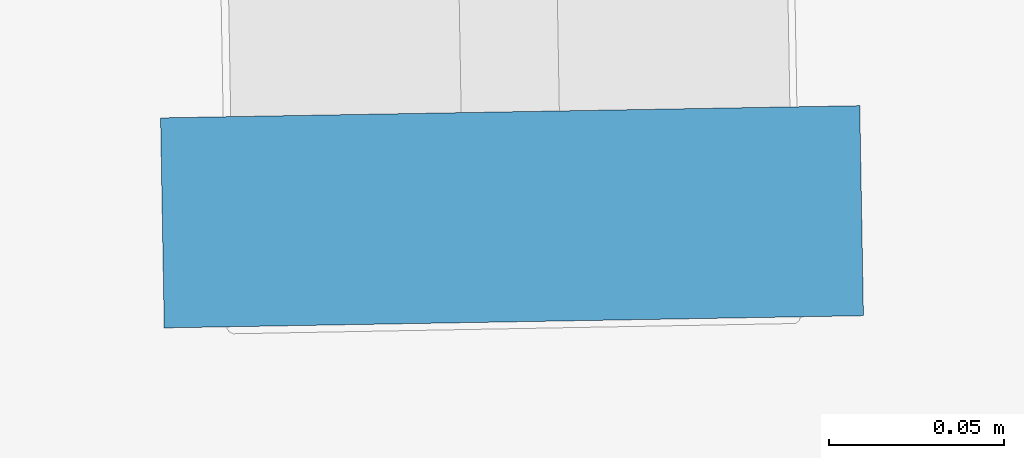
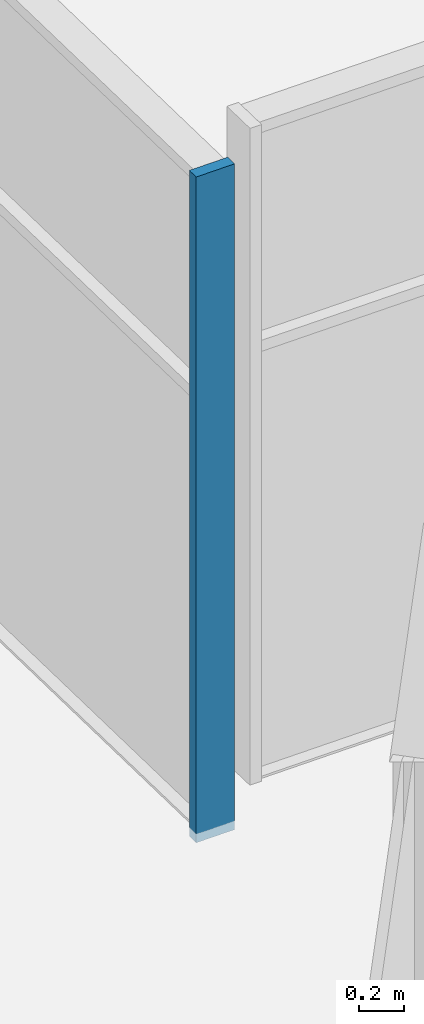
# One storey, part 2 of 13: 1 member, 1 element without a shape of its own.
"""IFC4 building model written with IfcOpenShell, lengths in metres."""

from ifc_helpers import new_model, si_unit, direction, frame, origin, origin_2d, place, context, subcontext, project, spatial, rectangle, extrude, material, material_profile, profile_set, type_object, element, aggregate, save


model = new_model("IFC4")

# Units and contexts
model_context = context("Model", 3, precision=1e-05, world=origin(), true_north=direction((0.0, 1.0)))
body_context = subcontext(model_context, "Body", "Model", "MODEL_VIEW")
ifc_project = project(units=[si_unit("LENGTHUNIT", "METRE"), si_unit("AREAUNIT", "SQUARE_METRE"), si_unit("VOLUMEUNIT", "CUBIC_METRE"), si_unit("PLANEANGLEUNIT", "RADIAN"), si_unit("MASSUNIT", "GRAM", prefix="KILO")], contexts=[model_context])

# Site, building, storey
site_placement = place(None, origin())
site = spatial("IfcSite", under=ifc_project, at=site_placement, CompositionType="ELEMENT")
building_placement = place(site_placement, origin())
building = spatial("IfcBuilding", under=site, at=building_placement, Name="Dilmun Exchange Tower", CompositionType="ELEMENT")
storey_placement = place(building_placement, frame((0.0, 0.0, 209.300048828125)))
storey = spatial("IfcBuildingStorey", under=building, at=storey_placement, Name="L49", CompositionType="ELEMENT", Elevation=209.300048828125)

# Curtain wall, member
ifc_material_1 = material(Name="Anodised aluminium and clear glass", Category="aluminium")
curtain_wall_type = type_object("IfcCurtainWallType", Name="Garden corner glazing", PredefinedType="NOTDEFINED", material=ifc_material_1)
curtain_wall_placement = place(storey_placement, origin())
curtain_wall = element("IfcCurtainWall", 1, at=curtain_wall_placement, inside=storey, type_object=curtain_wall_type, Name="Garden corner glazing run GC3.1", PredefinedType="NOTDEFINED")
ifc_material_2 = material(Name="Anodised aluminium", Category="aluminium")
ifc_material_profile = material_profile(ifc_material_2, rectangle(XDim=0.199951171875, YDim=0.06005859375, at=origin_2d()), Name="AL 60x200")
ifc_profile_set = profile_set([ifc_material_profile], Name="Anodised aluminium")
member_type = type_object("IfcMemberType", Name="Garden corner glazing mullion 60 x 200", PredefinedType="MULLION", material=ifc_profile_set)
member_placement = place(storey_placement, frame((-1.15576171875, 28.76953125, 0.0), z_axis=(0.0, 0.0, 1.0), x_axis=(-0.99984773388, -0.017450187816, 0.0)))
member = element("IfcMember", 2, at=member_placement, type_object=member_type, Name="GC3.1 mullion 1", PredefinedType="MULLION", context=body_context, shape_type="SweptSolid", body=[
    extrude(rectangle(XDim=0.199951171875, YDim=0.06005859375, at=origin_2d()), origin(), (0.0, 0.0, 1.0), 3.619873046875),
])
aggregate(curtain_wall, [member])

save(model, "model.ifc")
